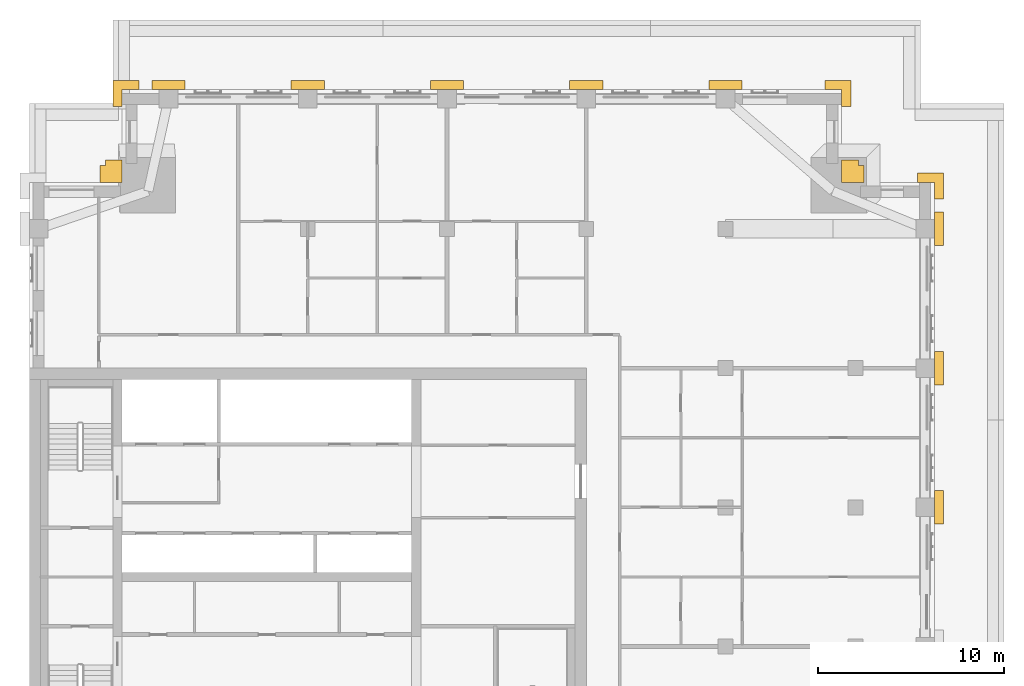
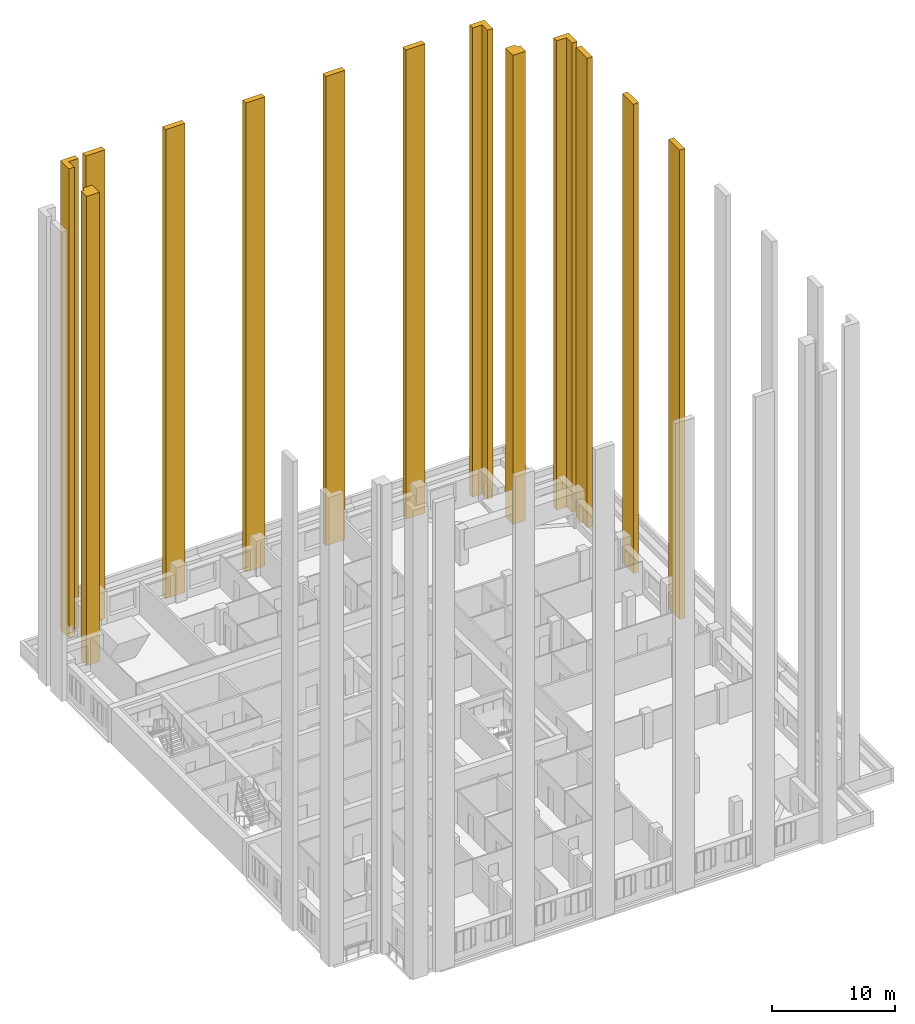
# One storey, part 12 of 12: 13 coverings.
"""IFC4 building model written with IfcOpenShell, lengths in metres."""

from ifc_helpers import new_model, si_unit, direction, frame, origin, place, context, subcontext, project, spatial, polyline, outline, extrude, material, layer, layer_set, type_object, element, save


model = new_model("IFC4")

# Units and contexts
model_context = context("Model", 3, precision=1e-05, world=origin(), true_north=direction((0.0, 1.0)))
body_context = subcontext(model_context, "Body", "Model", "MODEL_VIEW")
ifc_project = project(units=[si_unit("LENGTHUNIT", "METRE"), si_unit("AREAUNIT", "SQUARE_METRE"), si_unit("VOLUMEUNIT", "CUBIC_METRE"), si_unit("PLANEANGLEUNIT", "RADIAN"), si_unit("MASSUNIT", "GRAM", prefix="KILO")], contexts=[model_context])

# Site, building, storey
site_placement = place(None, origin())
site = spatial("IfcSite", under=ifc_project, at=site_placement, CompositionType="ELEMENT")
building_placement = place(site_placement, origin())
building = spatial("IfcBuilding", under=site, at=building_placement, Name="Tamorin Gate", CompositionType="ELEMENT")
storey_placement = place(building_placement, frame((0.0, 0.0, 219.699951171875)))
storey = spatial("IfcBuildingStorey", under=building, at=storey_placement, Name="L54", CompositionType="ELEMENT", Elevation=219.699951171875)

# Coverings
ifc_material = material(Name="Precast concrete C40/50", Category="concrete")
ifc_layer_1 = layer(ifc_material, 0.5)
ifc_layer_set_1 = layer_set([ifc_layer_1], Name="Corner pier cladding 500")
covering_type_1 = type_object("IfcCoveringType", Name="Corner pier cladding 500", PredefinedType="CLADDING", material=ifc_layer_set_1)
covering_1_placement = place(storey_placement, origin())
element("IfcCovering", 1, at=covering_1_placement, inside=storey, type_object=covering_type_1, Name="Corner pier", PredefinedType="CLADDING", context=body_context, shape_type="SweptSolid", body=[
    extrude(outline(polyline([(79.25, 93.0), (79.25, 91.60009765625), (78.75, 91.60009765625), (78.75, 92.5), (77.85009765625, 92.5), (77.85009765625, 93.0), (79.25, 93.0)])), origin(), (0.0, 0.0, 1.0), 46.5),
])
covering_2_placement = place(storey_placement, origin())
element("IfcCovering", 2, at=covering_2_placement, inside=storey, type_object=covering_type_1, Name="Corner pier", PredefinedType="CLADDING", context=body_context, shape_type="SweptSolid", body=[
    extrude(outline(polyline([(74.25, 98.0), (74.25, 96.60009765625), (73.75, 96.60009765625), (73.75, 97.5), (72.85009765625, 97.5), (72.85009765625, 98.0), (74.25, 98.0)])), origin(), (0.0, 0.0, 1.0), 46.5),
])
covering_3_placement = place(storey_placement, origin())
element("IfcCovering", 3, at=covering_3_placement, inside=storey, type_object=covering_type_1, Name="Corner pier", PredefinedType="CLADDING", context=body_context, shape_type="SweptSolid", body=[
    extrude(outline(polyline([(34.5, 98.0), (35.89990234375, 98.0), (35.89990234375, 97.5), (35.0, 97.5), (35.0, 96.60009765625), (34.5, 96.60009765625), (34.5, 98.0)])), origin(), (0.0, 0.0, 1.0), 46.5),
])
ifc_layer_2 = layer(ifc_material, 0.89990234375)
ifc_layer_set_2 = layer_set([ifc_layer_2], Name="Corner pier cladding 900")
covering_type_2 = type_object("IfcCoveringType", Name="Corner pier cladding 900", PredefinedType="CLADDING", material=ifc_layer_set_2)
covering_4_placement = place(storey_placement, origin())
element("IfcCovering", 4, at=covering_4_placement, inside=storey, type_object=covering_type_2, Name="Corner pier", PredefinedType="CLADDING", context=body_context, shape_type="SweptSolid", body=[
    extrude(outline(polyline([(74.64990234375, 93.39990234375), (74.949951171875, 93.39990234375), (74.949951171875, 92.5), (73.75, 92.5), (73.75, 93.699951171875), (74.64990234375, 93.699951171875), (74.64990234375, 93.39990234375)])), origin(), (0.0, 0.0, 1.0), 46.5),
])
covering_5_placement = place(storey_placement, origin())
element("IfcCovering", 5, at=covering_5_placement, inside=storey, type_object=covering_type_2, Name="Corner pier", PredefinedType="CLADDING", context=body_context, shape_type="SweptSolid", body=[
    extrude(outline(polyline([(34.10009765625, 93.39990234375), (34.10009765625, 93.699951171875), (35.0, 93.699951171875), (35.0, 92.5), (33.800048828125, 92.5), (33.800048828125, 93.39990234375), (34.10009765625, 93.39990234375)])), origin(), (0.0, 0.0, 1.0), 46.5),
])
ifc_layer_3 = layer(ifc_material, 0.5)
ifc_layer_set_3 = layer_set([ifc_layer_3], Name="Precast concrete C40/50")
covering_type_3 = type_object("IfcCoveringType", Name="Precast pier 1800x500", PredefinedType="CLADDING", material=ifc_layer_set_3)
covering_6_placement = place(storey_placement, origin())
element("IfcCovering", 6, at=covering_6_placement, inside=storey, type_object=covering_type_3, Name="Precast pier", PredefinedType="CLADDING", context=body_context, shape_type="SweptSolid", body=[
    extrude(outline(polyline([(78.75, 74.10009765625), (78.75, 75.89990234375), (79.25, 75.89990234375), (79.25, 74.10009765625), (78.75, 74.10009765625)])), origin(), (0.0, 0.0, 1.0), 46.5),
])
covering_7_placement = place(storey_placement, origin())
element("IfcCovering", 7, at=covering_7_placement, inside=storey, type_object=covering_type_3, Name="Precast pier", PredefinedType="CLADDING", context=body_context, shape_type="SweptSolid", body=[
    extrude(outline(polyline([(78.75, 81.60009765625), (78.75, 83.39990234375), (79.25, 83.39990234375), (79.25, 81.60009765625), (78.75, 81.60009765625)])), origin(), (0.0, 0.0, 1.0), 46.5),
])
covering_8_placement = place(storey_placement, origin())
element("IfcCovering", 8, at=covering_8_placement, inside=storey, type_object=covering_type_3, Name="Precast pier", PredefinedType="CLADDING", context=body_context, shape_type="SweptSolid", body=[
    extrude(outline(polyline([(78.75, 89.10009765625), (78.75, 90.89990234375), (79.25, 90.89990234375), (79.25, 89.10009765625), (78.75, 89.10009765625)])), origin(), (0.0, 0.0, 1.0), 46.5),
])
covering_9_placement = place(storey_placement, origin())
element("IfcCovering", 9, at=covering_9_placement, inside=storey, type_object=covering_type_3, Name="Precast pier", PredefinedType="CLADDING", context=body_context, shape_type="SweptSolid", body=[
    extrude(outline(polyline([(38.39990234375, 97.5), (36.60009765625, 97.5), (36.60009765625, 98.0), (38.39990234375, 98.0), (38.39990234375, 97.5)])), origin(), (0.0, 0.0, 1.0), 46.5),
])
covering_10_placement = place(storey_placement, origin())
element("IfcCovering", 10, at=covering_10_placement, inside=storey, type_object=covering_type_3, Name="Precast pier", PredefinedType="CLADDING", context=body_context, shape_type="SweptSolid", body=[
    extrude(outline(polyline([(45.89990234375, 97.5), (44.10009765625, 97.5), (44.10009765625, 98.0), (45.89990234375, 98.0), (45.89990234375, 97.5)])), origin(), (0.0, 0.0, 1.0), 46.5),
])
covering_11_placement = place(storey_placement, origin())
element("IfcCovering", 11, at=covering_11_placement, inside=storey, type_object=covering_type_3, Name="Precast pier", PredefinedType="CLADDING", context=body_context, shape_type="SweptSolid", body=[
    extrude(outline(polyline([(53.39990234375, 97.5), (51.60009765625, 97.5), (51.60009765625, 98.0), (53.39990234375, 98.0), (53.39990234375, 97.5)])), origin(), (0.0, 0.0, 1.0), 46.5),
])
covering_12_placement = place(storey_placement, origin())
element("IfcCovering", 12, at=covering_12_placement, inside=storey, type_object=covering_type_3, Name="Precast pier", PredefinedType="CLADDING", context=body_context, shape_type="SweptSolid", body=[
    extrude(outline(polyline([(60.89990234375, 97.5), (59.10009765625, 97.5), (59.10009765625, 98.0), (60.89990234375, 98.0), (60.89990234375, 97.5)])), origin(), (0.0, 0.0, 1.0), 46.5),
])
covering_13_placement = place(storey_placement, origin())
element("IfcCovering", 13, at=covering_13_placement, inside=storey, type_object=covering_type_3, Name="Precast pier", PredefinedType="CLADDING", context=body_context, shape_type="SweptSolid", body=[
    extrude(outline(polyline([(68.39990234375, 97.5), (66.60009765625, 97.5), (66.60009765625, 98.0), (68.39990234375, 98.0), (68.39990234375, 97.5)])), origin(), (0.0, 0.0, 1.0), 46.5),
])

save(model, "model.ifc")
